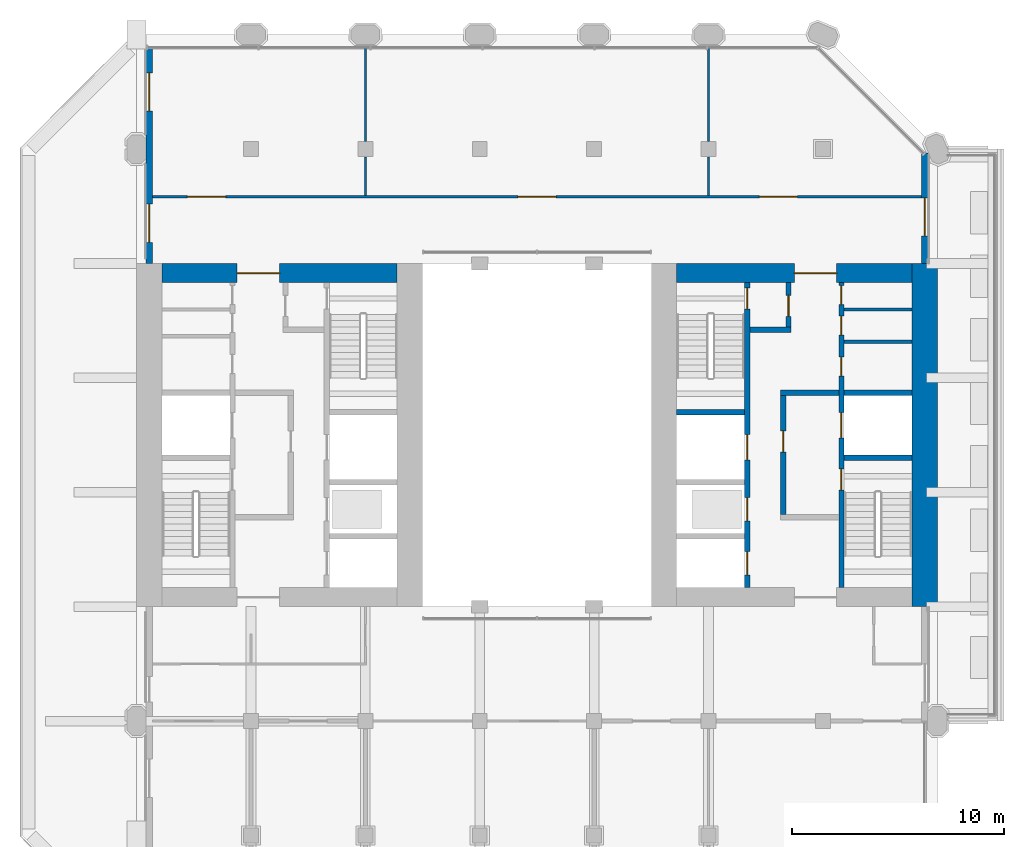
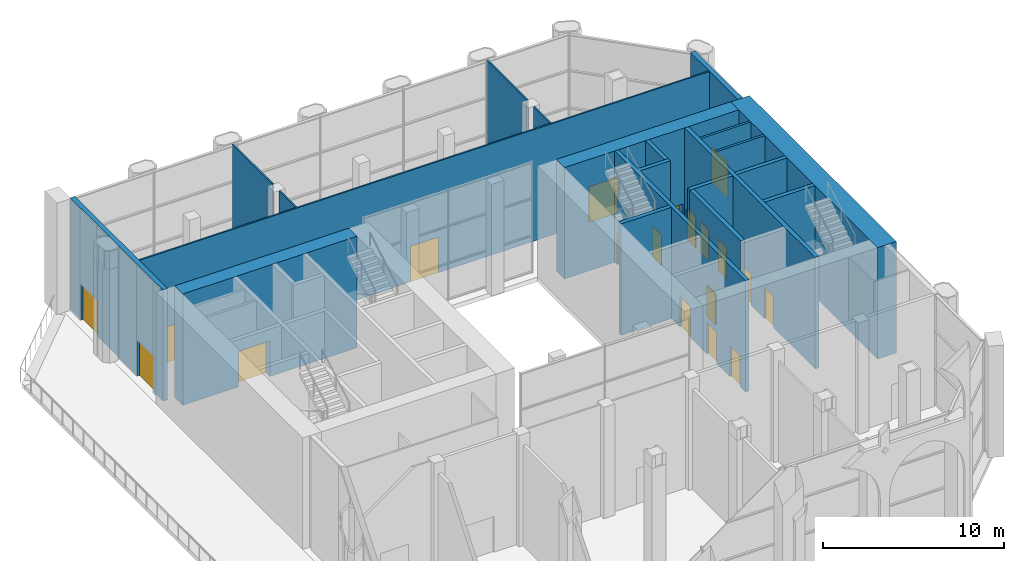
# One storey, part 11 of 20: 21 walls, 19 doors, 19 openings.
"""IFC4 building model written with IfcOpenShell, lengths in metres."""

from ifc_helpers import new_model, si_unit, direction, frame, frame_2d, origin, place, context, subcontext, project, spatial, rectangle, extrude, material, layer, layer_set, type_object, element, fill, save


model = new_model("IFC4")

# Units and contexts
model_context = context("Model", 3, precision=1e-05, world=origin(), true_north=direction((0.0, 1.0)))
body_context = subcontext(model_context, "Body", "Model", "MODEL_VIEW")
ifc_project = project(units=[si_unit("LENGTHUNIT", "METRE"), si_unit("AREAUNIT", "SQUARE_METRE"), si_unit("VOLUMEUNIT", "CUBIC_METRE"), si_unit("PLANEANGLEUNIT", "RADIAN"), si_unit("MASSUNIT", "GRAM", prefix="KILO")], contexts=[model_context])

# Site, building, storey
site_placement = place(None, origin())
site = spatial("IfcSite", under=ifc_project, at=site_placement, CompositionType="ELEMENT")
building_placement = place(site_placement, origin())
building = spatial("IfcBuilding", under=site, at=building_placement, Name="Tabaq Tower and Sports Hall", CompositionType="ELEMENT")
storey_placement = place(building_placement, frame((0.0, 0.0, 243.10009765625)))
storey = spatial("IfcBuildingStorey", under=building, at=storey_placement, Name="L60", CompositionType="ELEMENT", Elevation=243.10009765625)

# Walls
ifc_material_1 = material(Name="Blockwork", Category="masonry")
ifc_layer_1 = layer(ifc_material_1, 0.14990234375)
ifc_layer_set_1 = layer_set([ifc_layer_1], Name="Core room partition 150 Blockwork")
wall_type_1 = type_object("IfcWallType", Name="Core room partition 150 Blockwork", PredefinedType="PARTITIONING", material=ifc_layer_set_1)
for number, where, z_axis, x_axis, name in (
    (1, (38.800048828125, 28.708984375, 0.0), (0.0, 0.0, 1.0), (1.0, 0.0, 0.0), "Core room partition E L60"),
    (2, (38.800048828125, 30.23193359375, 0.0), (0.0, 0.0, 1.0), (1.0, 0.0, 0.0), "Core room partition E L60"),
):
    element("IfcWall", number, at=place(storey_placement, frame(where, z_axis=z_axis, x_axis=x_axis)), inside=storey, type_object=wall_type_1, Name=name, PredefinedType="PARTITIONING", context=body_context, shape_type="SweptSolid", body=[
        extrude(rectangle(XDim=3.199951171875, YDim=0.14990234375, at=frame_2d((1.60009765625, 0.0))), origin(), (0.0, 0.0, 1.0), 7.5),
    ])
ifc_material_2 = material(Name="Concrete C40/50", Category="concrete")
ifc_layer_2 = layer(ifc_material_2, 1.199951171875)
ifc_layer_set_2 = layer_set([ifc_layer_2], Name="Core wall 1200 Concrete C40/50")
wall_type_2 = type_object("IfcWallType", Name="Core wall 1200 Concrete C40/50", PredefinedType="SOLIDWALL", material=ifc_layer_set_2)
wall_1_placement = place(storey_placement, frame((42.60009765625, 32.39990234375, 0.0), z_axis=(0.0, 0.0, 1.0), x_axis=(0.0, -1.0, 0.0)))
element("IfcWall", 3, at=wall_1_placement, inside=storey, type_object=wall_type_2, Name="Core wall E L60", PredefinedType="SOLIDWALL", context=body_context, shape_type="SweptSolid", body=[
    extrude(rectangle(XDim=16.199951171875, YDim=1.199951171875, at=frame_2d((8.10009765625, 0.0))), origin(), (0.0, 0.0, 1.0), 7.5),
])

# Wall, opening, door
ifc_material_3 = material(Name="Concrete C40/50", Category="concrete")
ifc_layer_3 = layer(ifc_material_3, 0.89990234375)
ifc_layer_set_3 = layer_set([ifc_layer_3], Name="Core wall 900 Concrete C40/50")
wall_type_3 = type_object("IfcWallType", Name="Core wall 900 Concrete C40/50", PredefinedType="SOLIDWALL", material=ifc_layer_set_3)
wall_2_placement = place(storey_placement, frame((6.60009765625, 31.949951171875, 0.0), z_axis=(0.0, 0.0, 1.0), x_axis=(1.0, 0.0, 0.0)))
wall_2 = element("IfcWall", 4, at=wall_2_placement, inside=storey, type_object=wall_type_3, Name="Core wall W L60", PredefinedType="SOLIDWALL", context=body_context, shape_type="SweptSolid", body=[
    extrude(rectangle(XDim=11.099853515625, YDim=0.89990234375, at=frame_2d((5.5498046875, 0.0))), origin(), (0.0, 0.0, 1.0), 7.5),
])
opening_1_placement = place(wall_2_placement, frame((3.550048828125, 0.0, 0.0)))
opening_1 = element("IfcOpeningElement", 5, at=opening_1_placement, cuts=wall_2, Name="Opening PD-WL60-02", PredefinedType="OPENING", context=body_context, shape_type="SweptSolid", body=[
    extrude(rectangle(XDim=2.0, YDim=2.39990234375, at=frame_2d((1.0, 1.199951171875))), frame((0.0, 0.449951171875, 0.0), z_axis=(0.0, -1.0, 0.0), x_axis=(1.0, 0.0, 0.0)), (0.0, 0.0, 1.0), 0.89990234375),
])
ifc_material_4 = material(Name="Steel fire door", Category="steel")
door_type_1 = type_object("IfcDoorType", Name="Core entrance door 2000", OperationType="DOUBLE_DOOR_SINGLE_SWING", PredefinedType="DOOR", material=ifc_material_4)
door_1_placement = place(opening_1_placement, origin())
door_1 = element("IfcDoor", 6, at=door_1_placement, inside=storey, type_object=door_type_1, Name="Core entrance north W L60", OperationType="DOUBLE_DOOR_SINGLE_SWING", OverallHeight=2.39990234375, OverallWidth=2.0, PredefinedType="DOOR", context=body_context, shape_type="SweptSolid", body=[
    extrude(rectangle(XDim=2.0, YDim=2.39990234375, at=frame_2d((1.0, 1.199951171875))), frame((0.0, 0.02490234375, 0.0), z_axis=(0.0, -1.0, 0.0), x_axis=(1.0, 0.0, 0.0)), (0.0, 0.0, 1.0), 0.050048828125),
])
fill(opening_1, door_1)

wall_3_placement = place(storey_placement, frame((30.89990234375, 31.949951171875, 0.0), z_axis=(0.0, 0.0, 1.0), x_axis=(1.0, 0.0, 0.0)))
wall_3 = element("IfcWall", 7, at=wall_3_placement, inside=storey, type_object=wall_type_3, Name="Core wall E L60", PredefinedType="SOLIDWALL", context=body_context, shape_type="SweptSolid", body=[
    extrude(rectangle(XDim=11.10009765625, YDim=0.89990234375, at=frame_2d((5.550048828125, 0.0))), origin(), (0.0, 0.0, 1.0), 7.5),
])
opening_2_placement = place(wall_3_placement, frame((5.550048828125, 0.0, 0.0)))
opening_2 = element("IfcOpeningElement", 8, at=opening_2_placement, cuts=wall_3, Name="Opening PD-EL60-02", PredefinedType="OPENING", context=body_context, shape_type="SweptSolid", body=[
    extrude(rectangle(XDim=2.0, YDim=2.39990234375, at=frame_2d((1.0, 1.199951171875))), frame((0.0, 0.449951171875, 0.0), z_axis=(0.0, -1.0, 0.0), x_axis=(1.0, 0.0, 0.0)), (0.0, 0.0, 1.0), 0.89990234375),
])
door_2_placement = place(opening_2_placement, origin())
door_2 = element("IfcDoor", 9, at=door_2_placement, inside=storey, type_object=door_type_1, Name="Core entrance north E L60", OperationType="DOUBLE_DOOR_SINGLE_SWING", OverallHeight=2.39990234375, OverallWidth=2.0, PredefinedType="DOOR", context=body_context, shape_type="SweptSolid", body=[
    extrude(rectangle(XDim=2.0, YDim=2.39990234375, at=frame_2d((1.0, 1.199951171875))), frame((0.0, 0.02490234375, 0.0), z_axis=(0.0, -1.0, 0.0), x_axis=(1.0, 0.0, 0.0)), (0.0, 0.0, 1.0), 0.050048828125),
])
fill(opening_2, door_2)

# Walls
ifc_material_5 = material(Name="Gypsum board on steel studs", Category="steel")
ifc_layer_4 = layer(ifc_material_5, 0.10009765625)
ifc_layer_set_4 = layer_set([ifc_layer_4], Name="Partition 100 Gypsum board")
wall_type_4 = type_object("IfcWallType", Name="Partition 100 Gypsum board", PredefinedType="PARTITIONING", material=ifc_layer_set_4)
wall_4_placement = place(storey_placement, frame((32.39990234375, 42.60009765625, 0.0), z_axis=(0.0, 0.0, 1.0), x_axis=(0.0, -1.0, 0.0)))
element("IfcWall", 10, at=wall_4_placement, inside=storey, type_object=wall_type_4, Name="Partition wall L60", PredefinedType="PARTITIONING", context=body_context, shape_type="SweptSolid", body=[
    extrude(rectangle(XDim=4.43017578125, YDim=0.10009765625, at=frame_2d((2.215087890625, 0.0))), origin(), (0.0, 0.0, 1.0), 7.5),
])
wall_5_placement = place(storey_placement, frame((32.39990234375, 37.429931640625, 0.0), z_axis=(0.0, 0.0, 1.0), x_axis=(0.0, -1.0, 0.0)))
element("IfcWall", 11, at=wall_5_placement, inside=storey, type_object=wall_type_4, Name="Partition wall L60", PredefinedType="PARTITIONING", context=body_context, shape_type="SweptSolid", body=[
    extrude(rectangle(XDim=1.829833984375, YDim=0.10009765625, at=frame_2d((0.9150390625, 0.0))), origin(), (0.0, 0.0, 1.0), 7.5),
])
wall_6_placement = place(storey_placement, frame((16.199951171875, 42.60009765625, 0.0), z_axis=(0.0, 0.0, 1.0), x_axis=(0.0, -1.0, 0.0)))
element("IfcWall", 12, at=wall_6_placement, inside=storey, type_object=wall_type_4, Name="Partition wall L60", PredefinedType="PARTITIONING", context=body_context, shape_type="SweptSolid", body=[
    extrude(rectangle(XDim=4.43017578125, YDim=0.10009765625, at=frame_2d((2.215087890625, 0.0))), origin(), (0.0, 0.0, 1.0), 7.5),
])
wall_7_placement = place(storey_placement, frame((16.199951171875, 37.429931640625, 0.0), z_axis=(0.0, 0.0, 1.0), x_axis=(0.0, -1.0, 0.0)))
element("IfcWall", 13, at=wall_7_placement, inside=storey, type_object=wall_type_4, Name="Partition wall L60", PredefinedType="PARTITIONING", context=body_context, shape_type="SweptSolid", body=[
    extrude(rectangle(XDim=1.829833984375, YDim=0.10009765625, at=frame_2d((0.9150390625, 0.0))), origin(), (0.0, 0.0, 1.0), 7.5),
])

# Wall, openings, doors
wall_8_placement = place(storey_placement, frame((6.15087890625, 35.550048828125, 0.0), z_axis=(0.0, 0.0, 1.0), x_axis=(1.0, 0.0, 0.0)))
wall_8 = element("IfcWall", 14, at=wall_8_placement, inside=storey, type_object=wall_type_4, Name="Partition wall L60", PredefinedType="PARTITIONING", context=body_context, shape_type="SweptSolid", body=[
    extrude(rectangle(XDim=36.298095703125, YDim=0.10009765625, at=frame_2d((18.14892578125, 0.0))), origin(), (0.0, 0.0, 1.0), 7.5),
])
opening_3_placement = place(wall_8_placement, frame((28.64892578125, 0.0, 0.0)))
opening_3 = element("IfcOpeningElement", 15, at=opening_3_placement, cuts=wall_8, Name="Opening L60-001", PredefinedType="OPENING", context=body_context, shape_type="SweptSolid", body=[
    extrude(rectangle(XDim=1.800048828125, YDim=2.39990234375, at=frame_2d((0.89990234375, 1.199951171875))), frame((0.0, 0.050048828125, 0.0), z_axis=(0.0, -1.0, 0.0), x_axis=(1.0, 0.0, 0.0)), (0.0, 0.0, 1.0), 0.10009765625),
])
opening_4_placement = place(wall_8_placement, frame((17.2490234375, 0.0, 0.0)))
opening_4 = element("IfcOpeningElement", 16, at=opening_4_placement, cuts=wall_8, Name="Opening L60-002", PredefinedType="OPENING", context=body_context, shape_type="SweptSolid", body=[
    extrude(rectangle(XDim=1.800048828125, YDim=2.39990234375, at=frame_2d((0.89990234375, 1.199951171875))), frame((0.0, 0.050048828125, 0.0), z_axis=(0.0, -1.0, 0.0), x_axis=(1.0, 0.0, 0.0)), (0.0, 0.0, 1.0), 0.10009765625),
])
opening_5_placement = place(wall_8_placement, frame((1.64892578125, 0.0, 0.0)))
opening_5 = element("IfcOpeningElement", 17, at=opening_5_placement, cuts=wall_8, Name="Opening L60-003", PredefinedType="OPENING", context=body_context, shape_type="SweptSolid", body=[
    extrude(rectangle(XDim=1.800048828125, YDim=2.39990234375, at=frame_2d((0.89990234375, 1.199951171875))), frame((0.0, 0.050048828125, 0.0), z_axis=(0.0, -1.0, 0.0), x_axis=(1.0, 0.0, 0.0)), (0.0, 0.0, 1.0), 0.10009765625),
])
ifc_material_6 = material(Name="Timber leaf in steel frame", Category="steel")
door_type_2 = type_object("IfcDoorType", Name="Internal door 1800", OperationType="DOUBLE_DOOR_SINGLE_SWING", PredefinedType="DOOR", material=ifc_material_6)
door_3_placement = place(opening_3_placement, origin())
door_3 = element("IfcDoor", 18, at=door_3_placement, inside=storey, type_object=door_type_2, Name="Internal door L60-001", OperationType="DOUBLE_DOOR_SINGLE_SWING", OverallHeight=2.39990234375, OverallWidth=1.800048828125, PredefinedType="DOOR", context=body_context, shape_type="SweptSolid", body=[
    extrude(rectangle(XDim=1.800048828125, YDim=2.39990234375, at=frame_2d((0.89990234375, 1.199951171875))), frame((0.0, 0.02490234375, 0.0), z_axis=(0.0, -1.0, 0.0), x_axis=(1.0, 0.0, 0.0)), (0.0, 0.0, 1.0), 0.050048828125),
])
fill(opening_3, door_3)
door_4_placement = place(opening_4_placement, origin())
door_4 = element("IfcDoor", 19, at=door_4_placement, inside=storey, type_object=door_type_2, Name="Internal door L60-002", OperationType="DOUBLE_DOOR_SINGLE_SWING", OverallHeight=2.39990234375, OverallWidth=1.800048828125, PredefinedType="DOOR", context=body_context, shape_type="SweptSolid", body=[
    extrude(rectangle(XDim=1.800048828125, YDim=2.39990234375, at=frame_2d((0.89990234375, 1.199951171875))), frame((0.0, 0.02490234375, 0.0), z_axis=(0.0, -1.0, 0.0), x_axis=(1.0, 0.0, 0.0)), (0.0, 0.0, 1.0), 0.050048828125),
])
fill(opening_4, door_4)
door_5_placement = place(opening_5_placement, origin())
door_5 = element("IfcDoor", 20, at=door_5_placement, inside=storey, type_object=door_type_2, Name="Internal door L60-003", OperationType="DOUBLE_DOOR_SINGLE_SWING", OverallHeight=2.39990234375, OverallWidth=1.800048828125, PredefinedType="DOOR", context=body_context, shape_type="SweptSolid", body=[
    extrude(rectangle(XDim=1.800048828125, YDim=2.39990234375, at=frame_2d((0.89990234375, 1.199951171875))), frame((0.0, 0.02490234375, 0.0), z_axis=(0.0, -1.0, 0.0), x_axis=(1.0, 0.0, 0.0)), (0.0, 0.0, 1.0), 0.050048828125),
])
fill(opening_5, door_5)

ifc_material_7 = material(Name="Concrete C40/50", Category="concrete")
ifc_layer_5 = layer(ifc_material_7, 0.25)
ifc_layer_set_5 = layer_set([ifc_layer_5], Name="Shaft and stair wall 250 Concrete C40/50")
wall_type_5 = type_object("IfcWallType", Name="Shaft and stair wall 250 Concrete C40/50", PredefinedType="SOLIDWALL", material=ifc_layer_set_5)
wall_9_placement = place(storey_placement, frame((38.675048828125, 17.10009765625, 0.0), z_axis=(0.0, 0.0, 1.0), x_axis=(0.0, 1.0, 0.0)))
wall_9 = element("IfcWall", 21, at=wall_9_placement, inside=storey, type_object=wall_type_5, Name="Shaft wall E L60", PredefinedType="SOLIDWALL", context=body_context, shape_type="SweptSolid", body=[
    extrude(rectangle(XDim=14.39990234375, YDim=0.25, at=frame_2d((7.199951171875, 0.0))), origin(), (0.0, 0.0, 1.0), 7.5),
])
opening_6_placement = place(wall_9_placement, frame((4.60009765625, 0.0, 0.0)))
opening_6 = element("IfcOpeningElement", 22, at=opening_6_placement, cuts=wall_9, Name="Opening SD-EL60-03", PredefinedType="OPENING", context=body_context, shape_type="SweptSolid", body=[
    extrude(rectangle(XDim=1.0, YDim=2.10009765625, at=frame_2d((0.5, 1.050048828125))), frame((0.0, 0.125, 0.0), z_axis=(0.0, -1.0, 0.0), x_axis=(1.0, 0.0, 0.0)), (0.0, 0.0, 1.0), 0.25),
])
opening_7_placement = place(wall_9_placement, frame((7.0625, 0.0, 0.0)))
opening_7 = element("IfcOpeningElement", 23, at=opening_7_placement, cuts=wall_9, Name="Opening LD-FF2-L60", PredefinedType="OPENING", context=body_context, shape_type="SweptSolid", body=[
    extrude(rectangle(XDim=1.199951171875, YDim=2.10009765625, at=frame_2d((0.60009765625, 1.050048828125))), frame((0.0, 0.125, 0.0), z_axis=(0.0, -1.0, 0.0), x_axis=(1.0, 0.0, 0.0)), (0.0, 0.0, 1.0), 0.25),
])
opening_8_placement = place(wall_9_placement, frame((9.9794921875, 0.0, 0.0)))
opening_8 = element("IfcOpeningElement", 24, at=opening_8_placement, cuts=wall_9, Name="Opening RD-EL60-11", PredefinedType="OPENING", context=body_context, shape_type="SweptSolid", body=[
    extrude(rectangle(XDim=0.89990234375, YDim=2.10009765625, at=frame_2d((0.449951171875, 1.050048828125))), frame((0.0, 0.125, 0.0), z_axis=(0.0, -1.0, 0.0), x_axis=(1.0, 0.0, 0.0)), (0.0, 0.0, 1.0), 0.25),
])
opening_9_placement = place(wall_9_placement, frame((11.92041015625, 0.0, 0.0)))
opening_9 = element("IfcOpeningElement", 25, at=opening_9_placement, cuts=wall_9, Name="Opening RD-EL60-12", PredefinedType="OPENING", context=body_context, shape_type="SweptSolid", body=[
    extrude(rectangle(XDim=0.89990234375, YDim=2.10009765625, at=frame_2d((0.449951171875, 1.050048828125))), frame((0.0, 0.125, 0.0), z_axis=(0.0, -1.0, 0.0), x_axis=(1.0, 0.0, 0.0)), (0.0, 0.0, 1.0), 0.25),
])
opening_10_placement = place(wall_9_placement, frame((13.353515625, 0.0, 0.0)))
opening_10 = element("IfcOpeningElement", 26, at=opening_10_placement, cuts=wall_9, Name="Opening RD-EL60-13", PredefinedType="OPENING", context=body_context, shape_type="SweptSolid", body=[
    extrude(rectangle(XDim=0.89990234375, YDim=2.10009765625, at=frame_2d((0.449951171875, 1.050048828125))), frame((0.0, 0.125, 0.0), z_axis=(0.0, -1.0, 0.0), x_axis=(1.0, 0.0, 0.0)), (0.0, 0.0, 1.0), 0.25),
])
ifc_material_8 = material(Name="Steel fire door", Category="steel")
door_type_3 = type_object("IfcDoorType", Name="Core room door 900", OperationType="SINGLE_SWING_LEFT", PredefinedType="DOOR", material=ifc_material_8)
door_6_placement = place(opening_8_placement, origin())
door_6 = element("IfcDoor", 27, at=door_6_placement, inside=storey, type_object=door_type_3, Name="Door Unisex WC E L60", OperationType="SINGLE_SWING_LEFT", OverallHeight=2.10009765625, OverallWidth=0.89990234375, PredefinedType="DOOR", context=body_context, shape_type="SweptSolid", body=[
    extrude(rectangle(XDim=0.89990234375, YDim=2.10009765625, at=frame_2d((0.449951171875, 1.050048828125))), frame((0.0, 0.02490234375, 0.0), z_axis=(0.0, -1.0, 0.0), x_axis=(1.0, 0.0, 0.0)), (0.0, 0.0, 1.0), 0.050048828125),
])
fill(opening_8, door_6)
door_7_placement = place(opening_9_placement, origin())
door_7 = element("IfcDoor", 28, at=door_7_placement, inside=storey, type_object=door_type_3, Name="Door Accessible WC E L60", OperationType="SINGLE_SWING_LEFT", OverallHeight=2.10009765625, OverallWidth=0.89990234375, PredefinedType="DOOR", context=body_context, shape_type="SweptSolid", body=[
    extrude(rectangle(XDim=0.89990234375, YDim=2.10009765625, at=frame_2d((0.449951171875, 1.050048828125))), frame((0.0, 0.02490234375, 0.0), z_axis=(0.0, -1.0, 0.0), x_axis=(1.0, 0.0, 0.0)), (0.0, 0.0, 1.0), 0.050048828125),
])
fill(opening_9, door_7)
door_8_placement = place(opening_10_placement, origin())
door_8 = element("IfcDoor", 29, at=door_8_placement, inside=storey, type_object=door_type_3, Name="Door Electrical Riser Room E L60", OperationType="SINGLE_SWING_LEFT", OverallHeight=2.10009765625, OverallWidth=0.89990234375, PredefinedType="DOOR", context=body_context, shape_type="SweptSolid", body=[
    extrude(rectangle(XDim=0.89990234375, YDim=2.10009765625, at=frame_2d((0.449951171875, 1.050048828125))), frame((0.0, 0.02490234375, 0.0), z_axis=(0.0, -1.0, 0.0), x_axis=(1.0, 0.0, 0.0)), (0.0, 0.0, 1.0), 0.050048828125),
])
fill(opening_10, door_8)
ifc_material_9 = material(Name="Stainless steel", Category="steel")
door_type_4 = type_object("IfcDoorType", Name="Lift landing door 1200", OperationType="DOUBLE_DOOR_SLIDING", PredefinedType="DOOR", material=ifc_material_9)
door_9_placement = place(opening_7_placement, origin())
door_9 = element("IfcDoor", 30, at=door_9_placement, inside=storey, type_object=door_type_4, Name="Lift landing door FF2 E L60", OperationType="DOUBLE_DOOR_SLIDING", OverallHeight=2.10009765625, OverallWidth=1.199951171875, PredefinedType="DOOR", context=body_context, shape_type="SweptSolid", body=[
    extrude(rectangle(XDim=1.199951171875, YDim=2.10009765625, at=frame_2d((0.60009765625, 1.050048828125))), frame((0.0, 0.02490234375, 0.0), z_axis=(0.0, -1.0, 0.0), x_axis=(1.0, 0.0, 0.0)), (0.0, 0.0, 1.0), 0.050048828125),
])
fill(opening_7, door_9)
ifc_material_10 = material(Name="Steel fire door", Category="steel")
door_type_5 = type_object("IfcDoorType", Name="Stair door 1000", OperationType="SINGLE_SWING_LEFT", PredefinedType="DOOR", material=ifc_material_10)
door_10_placement = place(opening_6_placement, origin())
door_10 = element("IfcDoor", 31, at=door_10_placement, inside=storey, type_object=door_type_5, Name="Stair door ST3 E L60", OperationType="SINGLE_SWING_LEFT", OverallHeight=2.10009765625, OverallWidth=1.0, PredefinedType="DOOR", context=body_context, shape_type="SweptSolid", body=[
    extrude(rectangle(XDim=1.0, YDim=2.10009765625, at=frame_2d((0.5, 1.050048828125))), frame((0.0, 0.02490234375, 0.0), z_axis=(0.0, -1.0, 0.0), x_axis=(1.0, 0.0, 0.0)), (0.0, 0.0, 1.0), 0.050048828125),
])
fill(opening_6, door_10)

wall_10_placement = place(storey_placement, frame((34.22509765625, 17.10009765625, 0.0), z_axis=(0.0, 0.0, 1.0), x_axis=(0.0, 1.0, 0.0)))
wall_10 = element("IfcWall", 32, at=wall_10_placement, inside=storey, type_object=wall_type_5, Name="Shaft wall E L60", PredefinedType="SOLIDWALL", context=body_context, shape_type="SweptSolid", body=[
    extrude(rectangle(XDim=14.39990234375, YDim=0.25, at=frame_2d((7.199951171875, 0.0))), origin(), (0.0, 0.0, 1.0), 7.5),
])
opening_11_placement = place(wall_10_placement, frame((13.14990234375, 0.0, 0.0)))
opening_11 = element("IfcOpeningElement", 33, at=opening_11_placement, cuts=wall_10, Name="Opening SD-EL60-05", PredefinedType="OPENING", context=body_context, shape_type="SweptSolid", body=[
    extrude(rectangle(XDim=1.0, YDim=2.10009765625, at=frame_2d((0.5, 1.050048828125))), frame((0.0, 0.125, 0.0), z_axis=(0.0, -1.0, 0.0), x_axis=(1.0, 0.0, 0.0)), (0.0, 0.0, 1.0), 0.25),
])
opening_12_placement = place(wall_10_placement, frame((0.60009765625, 0.0, 0.0)))
opening_12 = element("IfcOpeningElement", 34, at=opening_12_placement, cuts=wall_10, Name="Opening LD-MR2-L60", PredefinedType="OPENING", context=body_context, shape_type="SweptSolid", body=[
    extrude(rectangle(XDim=1.10009765625, YDim=2.10009765625, at=frame_2d((0.550048828125, 1.050048828125))), frame((0.0, 0.125, 0.0), z_axis=(0.0, -1.0, 0.0), x_axis=(1.0, 0.0, 0.0)), (0.0, 0.0, 1.0), 0.25),
])
opening_13_placement = place(wall_10_placement, frame((3.14990234375, 0.0, 0.0)))
opening_13 = element("IfcOpeningElement", 35, at=opening_13_placement, cuts=wall_10, Name="Opening LD-HR2-L60", PredefinedType="OPENING", context=body_context, shape_type="SweptSolid", body=[
    extrude(rectangle(XDim=1.10009765625, YDim=2.10009765625, at=frame_2d((0.550048828125, 1.050048828125))), frame((0.0, 0.125, 0.0), z_axis=(0.0, -1.0, 0.0), x_axis=(1.0, 0.0, 0.0)), (0.0, 0.0, 1.0), 0.25),
])
opening_14_placement = place(wall_10_placement, frame((6.02490234375, 0.0, 0.0)))
opening_14 = element("IfcOpeningElement", 36, at=opening_14_placement, cuts=wall_10, Name="Opening LD-SH2-L60", PredefinedType="OPENING", context=body_context, shape_type="SweptSolid", body=[
    extrude(rectangle(XDim=1.199951171875, YDim=2.10009765625, at=frame_2d((0.60009765625, 1.050048828125))), frame((0.0, 0.125, 0.0), z_axis=(0.0, -1.0, 0.0), x_axis=(1.0, 0.0, 0.0)), (0.0, 0.0, 1.0), 0.25),
])
ifc_material_11 = material(Name="Stainless steel", Category="steel")
door_type_6 = type_object("IfcDoorType", Name="Lift landing door 1100", OperationType="DOUBLE_DOOR_SLIDING", PredefinedType="DOOR", material=ifc_material_11)
door_11_placement = place(opening_12_placement, origin())
door_11 = element("IfcDoor", 37, at=door_11_placement, inside=storey, type_object=door_type_6, Name="Lift landing door MR2 E L60", OperationType="DOUBLE_DOOR_SLIDING", OverallHeight=2.10009765625, OverallWidth=1.10009765625, PredefinedType="DOOR", context=body_context, shape_type="SweptSolid", body=[
    extrude(rectangle(XDim=1.10009765625, YDim=2.10009765625, at=frame_2d((0.550048828125, 1.050048828125))), frame((0.0, 0.02490234375, 0.0), z_axis=(0.0, -1.0, 0.0), x_axis=(1.0, 0.0, 0.0)), (0.0, 0.0, 1.0), 0.050048828125),
])
fill(opening_12, door_11)
door_12_placement = place(opening_13_placement, origin())
door_12 = element("IfcDoor", 38, at=door_12_placement, inside=storey, type_object=door_type_6, Name="Lift landing door HR2 E L60", OperationType="DOUBLE_DOOR_SLIDING", OverallHeight=2.10009765625, OverallWidth=1.10009765625, PredefinedType="DOOR", context=body_context, shape_type="SweptSolid", body=[
    extrude(rectangle(XDim=1.10009765625, YDim=2.10009765625, at=frame_2d((0.550048828125, 1.050048828125))), frame((0.0, 0.02490234375, 0.0), z_axis=(0.0, -1.0, 0.0), x_axis=(1.0, 0.0, 0.0)), (0.0, 0.0, 1.0), 0.050048828125),
])
fill(opening_13, door_12)
door_13_placement = place(opening_14_placement, origin())
door_13 = element("IfcDoor", 39, at=door_13_placement, inside=storey, type_object=door_type_4, Name="Lift landing door SH2 E L60", OperationType="DOUBLE_DOOR_SLIDING", OverallHeight=2.10009765625, OverallWidth=1.199951171875, PredefinedType="DOOR", context=body_context, shape_type="SweptSolid", body=[
    extrude(rectangle(XDim=1.199951171875, YDim=2.10009765625, at=frame_2d((0.60009765625, 1.050048828125))), frame((0.0, 0.02490234375, 0.0), z_axis=(0.0, -1.0, 0.0), x_axis=(1.0, 0.0, 0.0)), (0.0, 0.0, 1.0), 0.050048828125),
])
fill(opening_14, door_13)
door_14_placement = place(opening_11_placement, origin())
door_14 = element("IfcDoor", 40, at=door_14_placement, inside=storey, type_object=door_type_5, Name="Stair door ST4 E L60", OperationType="SINGLE_SWING_LEFT", OverallHeight=2.10009765625, OverallWidth=1.0, PredefinedType="DOOR", context=body_context, shape_type="SweptSolid", body=[
    extrude(rectangle(XDim=1.0, YDim=2.10009765625, at=frame_2d((0.5, 1.050048828125))), frame((0.0, 0.02490234375, 0.0), z_axis=(0.0, -1.0, 0.0), x_axis=(1.0, 0.0, 0.0)), (0.0, 0.0, 1.0), 0.050048828125),
])
fill(opening_11, door_14)

# Walls
wall_11_placement = place(storey_placement, frame((38.800048828125, 23.22509765625, 0.0), z_axis=(0.0, 0.0, 1.0), x_axis=(1.0, 0.0, 0.0)))
element("IfcWall", 41, at=wall_11_placement, inside=storey, type_object=wall_type_5, Name="Stair enclosure wall E L60", PredefinedType="SOLIDWALL", context=body_context, shape_type="SweptSolid", body=[
    extrude(rectangle(XDim=3.199951171875, YDim=0.25, at=frame_2d((1.60009765625, 0.0))), origin(), (0.0, 0.0, 1.0), 7.5),
])
wall_12_placement = place(storey_placement, frame((30.89990234375, 25.375, 0.0), z_axis=(0.0, 0.0, 1.0), x_axis=(1.0, 0.0, 0.0)))
element("IfcWall", 42, at=wall_12_placement, inside=storey, type_object=wall_type_5, Name="Stair enclosure wall E L60", PredefinedType="SOLIDWALL", context=body_context, shape_type="SweptSolid", body=[
    extrude(rectangle(XDim=3.2001953125, YDim=0.25, at=frame_2d((1.60009765625, 0.0))), origin(), (0.0, 0.0, 1.0), 7.5),
])
wall_13_placement = place(storey_placement, frame((38.800048828125, 26.300048828125, 0.0), z_axis=(0.0, 0.0, 1.0), x_axis=(1.0, 0.0, 0.0)))
element("IfcWall", 43, at=wall_13_placement, inside=storey, type_object=wall_type_5, Name="Shaft wall E L60", PredefinedType="SOLIDWALL", context=body_context, shape_type="SweptSolid", body=[
    extrude(rectangle(XDim=3.199951171875, YDim=0.25, at=frame_2d((1.60009765625, 0.0))), origin(), (0.0, 0.0, 1.0), 7.5),
])
wall_14_placement = place(storey_placement, frame((35.800048828125, 26.300048828125, 0.0), z_axis=(0.0, 0.0, 1.0), x_axis=(1.0, 0.0, 0.0)))
element("IfcWall", 44, at=wall_14_placement, inside=storey, type_object=wall_type_5, Name="Fire-fighting lobby wall E L60", PredefinedType="SOLIDWALL", context=body_context, shape_type="SweptSolid", body=[
    extrude(rectangle(XDim=2.75, YDim=0.25, at=frame_2d((1.375, 0.0))), origin(), (0.0, 0.0, 1.0), 7.5),
])

# Wall, opening, door
wall_15_placement = place(storey_placement, frame((36.175048828125, 29.39990234375, 0.0), z_axis=(0.0, 0.0, 1.0), x_axis=(0.0, 1.0, 0.0)))
wall_15 = element("IfcWall", 45, at=wall_15_placement, inside=storey, type_object=wall_type_5, Name="Fire-fighting lobby wall E L60", PredefinedType="SOLIDWALL", context=body_context, shape_type="SweptSolid", body=[
    extrude(rectangle(XDim=2.10009765625, YDim=0.25, at=frame_2d((1.050048828125, 0.0))), origin(), (0.0, 0.0, 1.0), 7.5),
])
opening_15_placement = place(wall_15_placement, frame((0.5, 0.0, 0.0)))
opening_15 = element("IfcOpeningElement", 46, at=opening_15_placement, cuts=wall_15, Name="Opening FD-EL60-06", PredefinedType="OPENING", context=body_context, shape_type="SweptSolid", body=[
    extrude(rectangle(XDim=1.0, YDim=2.10009765625, at=frame_2d((0.5, 1.050048828125))), frame((0.0, 0.125, 0.0), z_axis=(0.0, -1.0, 0.0), x_axis=(1.0, 0.0, 0.0)), (0.0, 0.0, 1.0), 0.25),
])
ifc_material_12 = material(Name="Steel fire door", Category="steel")
door_type_7 = type_object("IfcDoorType", Name="Fire-fighting lobby door 1000", OperationType="SINGLE_SWING_LEFT", PredefinedType="DOOR", material=ifc_material_12)
door_15_placement = place(opening_15_placement, origin())
door_15 = element("IfcDoor", 47, at=door_15_placement, inside=storey, type_object=door_type_7, Name="Stair lobby door E L60", OperationType="SINGLE_SWING_LEFT", OverallHeight=2.10009765625, OverallWidth=1.0, PredefinedType="DOOR", context=body_context, shape_type="SweptSolid", body=[
    extrude(rectangle(XDim=1.0, YDim=2.10009765625, at=frame_2d((0.5, 1.050048828125))), frame((0.0, 0.02490234375, 0.0), z_axis=(0.0, -1.0, 0.0), x_axis=(1.0, 0.0, 0.0)), (0.0, 0.0, 1.0), 0.050048828125),
])
fill(opening_15, door_15)

# Wall
wall_16_placement = place(storey_placement, frame((34.35009765625, 29.27490234375, 0.0), z_axis=(0.0, 0.0, 1.0), x_axis=(1.0, 0.0, 0.0)))
element("IfcWall", 48, at=wall_16_placement, inside=storey, type_object=wall_type_5, Name="Fire-fighting lobby wall E L60", PredefinedType="SOLIDWALL", context=body_context, shape_type="SweptSolid", body=[
    extrude(rectangle(XDim=1.949951171875, YDim=0.25, at=frame_2d((0.97509765625, 0.0))), origin(), (0.0, 0.0, 1.0), 7.5),
])

# Wall, opening, door
wall_17_placement = place(storey_placement, frame((35.925048828125, 20.550048828125, 0.0), z_axis=(0.0, 0.0, 1.0), x_axis=(0.0, 1.0, 0.0)))
wall_17 = element("IfcWall", 49, at=wall_17_placement, inside=storey, type_object=wall_type_5, Name="Fire-fighting lobby wall E L60", PredefinedType="SOLIDWALL", context=body_context, shape_type="SweptSolid", body=[
    extrude(rectangle(XDim=5.625, YDim=0.25, at=frame_2d((2.8125, 0.0))), origin(), (0.0, 0.0, 1.0), 7.5),
])
opening_16_placement = place(wall_17_placement, frame((2.949951171875, 0.0, 0.0)))
opening_16 = element("IfcOpeningElement", 50, at=opening_16_placement, cuts=wall_17, Name="Opening FD-EL60-04", PredefinedType="OPENING", context=body_context, shape_type="SweptSolid", body=[
    extrude(rectangle(XDim=1.0, YDim=2.10009765625, at=frame_2d((0.5, 1.050048828125))), frame((0.0, 0.125, 0.0), z_axis=(0.0, -1.0, 0.0), x_axis=(1.0, 0.0, 0.0)), (0.0, 0.0, 1.0), 0.25),
])
door_16_placement = place(opening_16_placement, origin())
door_16 = element("IfcDoor", 51, at=door_16_placement, inside=storey, type_object=door_type_7, Name="Fire-fighting lobby door E L60", OperationType="SINGLE_SWING_LEFT", OverallHeight=2.10009765625, OverallWidth=1.0, PredefinedType="DOOR", context=body_context, shape_type="SweptSolid", body=[
    extrude(rectangle(XDim=1.0, YDim=2.10009765625, at=frame_2d((0.5, 1.050048828125))), frame((0.0, 0.02490234375, 0.0), z_axis=(0.0, -1.0, 0.0), x_axis=(1.0, 0.0, 0.0)), (0.0, 0.0, 1.0), 0.050048828125),
])
fill(opening_16, door_16)

ifc_material_13 = material(Name="White precast concrete C60/75", Category="concrete")
ifc_layer_6 = layer(ifc_material_13, 0.300048828125)
ifc_layer_set_6 = layer_set([ifc_layer_6], Name="White precast concrete C60/75 external wall 300")
wall_type_6 = type_object("IfcWallType", Name="White precast concrete C60/75 external wall 300", PredefinedType="SOLIDWALL", material=ifc_layer_set_6)
wall_18_placement = place(storey_placement, frame((42.60009765625, 32.39990234375, 0.0), z_axis=(0.0, 0.0, 1.0), x_axis=(0.0, 1.0, 0.0)))
wall_18 = element("IfcWall", 52, at=wall_18_placement, inside=storey, type_object=wall_type_6, Name="External Wall L60 E", PredefinedType="SOLIDWALL", context=body_context, shape_type="SweptSolid", body=[
    extrude(rectangle(XDim=5.213623046875, YDim=0.300048828125, at=frame_2d((2.60693359375, 0.0))), origin(), (0.0, 0.0, 1.0), 7.5),
])
opening_17_placement = place(wall_18_placement, frame((1.300048828125, 0.0, 0.0)))
opening_17 = element("IfcOpeningElement", 53, at=opening_17_placement, cuts=wall_18, Name="Opening TD6002", PredefinedType="OPENING", context=body_context, shape_type="SweptSolid", body=[
    extrude(rectangle(XDim=1.800048828125, YDim=2.39990234375, at=frame_2d((0.89990234375, 1.199951171875))), frame((0.0, 0.16015625, 0.0), z_axis=(0.0, -1.0, 0.0), x_axis=(1.0, 0.0, 0.0)), (0.0, 0.0, 1.0), 0.320068359375),
])
ifc_material_14 = material(Name="Aluminium framed clear glazing", Category="aluminium")
door_type_8 = type_object("IfcDoorType", Name="Terrace door TD1", OperationType="DOUBLE_DOOR_DOUBLE_SWING", PredefinedType="DOOR", material=ifc_material_14)
door_17_placement = place(opening_17_placement, origin())
door_17 = element("IfcDoor", 54, at=door_17_placement, inside=storey, type_object=door_type_8, Name="Terrace door TD6002", OperationType="DOUBLE_DOOR_DOUBLE_SWING", OverallHeight=2.39990234375, OverallWidth=1.800048828125, PredefinedType="DOOR", context=body_context, shape_type="SweptSolid", body=[
    extrude(rectangle(XDim=1.800048828125, YDim=2.39990234375, at=frame_2d((0.89990234375, 1.199951171875))), frame((0.0, 0.02490234375, 0.0), z_axis=(0.0, -1.0, 0.0), x_axis=(1.0, 0.0, 0.0)), (0.0, 0.0, 1.0), 0.050048828125),
])
fill(opening_17, door_17)

# Wall, openings, doors
wall_19_placement = place(storey_placement, frame((6.0, 42.60009765625, 0.0), z_axis=(0.0, 0.0, 1.0), x_axis=(0.0, -1.0, 0.0)))
wall_19 = element("IfcWall", 55, at=wall_19_placement, inside=storey, type_object=wall_type_6, Name="External Wall L60 W", PredefinedType="SOLIDWALL", context=body_context, shape_type="SweptSolid", body=[
    extrude(rectangle(XDim=10.2001953125, YDim=0.300048828125, at=frame_2d((5.10009765625, 0.0))), origin(), (0.0, 0.0, 1.0), 7.5),
])
opening_18_placement = place(wall_19_placement, frame((1.199951171875, 0.0, 0.0)))
opening_18 = element("IfcOpeningElement", 56, at=opening_18_placement, cuts=wall_19, Name="Opening TD6003", PredefinedType="OPENING", context=body_context, shape_type="SweptSolid", body=[
    extrude(rectangle(XDim=1.800048828125, YDim=2.39990234375, at=frame_2d((0.89990234375, 1.199951171875))), frame((0.0, 0.16015625, 0.0), z_axis=(0.0, -1.0, 0.0), x_axis=(1.0, 0.0, 0.0)), (0.0, 0.0, 1.0), 0.320068359375),
])
opening_19_placement = place(wall_19_placement, frame((7.39990234375, 0.0, 0.0)))
opening_19 = element("IfcOpeningElement", 57, at=opening_19_placement, cuts=wall_19, Name="Opening TD6004", PredefinedType="OPENING", context=body_context, shape_type="SweptSolid", body=[
    extrude(rectangle(XDim=1.800048828125, YDim=2.39990234375, at=frame_2d((0.89990234375, 1.199951171875))), frame((0.0, 0.16015625, 0.0), z_axis=(0.0, -1.0, 0.0), x_axis=(1.0, 0.0, 0.0)), (0.0, 0.0, 1.0), 0.320068359375),
])
door_18_placement = place(opening_18_placement, origin())
door_18 = element("IfcDoor", 58, at=door_18_placement, inside=storey, type_object=door_type_8, Name="Terrace door TD6003", OperationType="DOUBLE_DOOR_DOUBLE_SWING", OverallHeight=2.39990234375, OverallWidth=1.800048828125, PredefinedType="DOOR", context=body_context, shape_type="SweptSolid", body=[
    extrude(rectangle(XDim=1.800048828125, YDim=2.39990234375, at=frame_2d((0.89990234375, 1.199951171875))), frame((0.0, 0.02490234375, 0.0), z_axis=(0.0, -1.0, 0.0), x_axis=(1.0, 0.0, 0.0)), (0.0, 0.0, 1.0), 0.050048828125),
])
fill(opening_18, door_18)
door_19_placement = place(opening_19_placement, origin())
door_19 = element("IfcDoor", 59, at=door_19_placement, inside=storey, type_object=door_type_8, Name="Terrace door TD6004", OperationType="DOUBLE_DOOR_DOUBLE_SWING", OverallHeight=2.39990234375, OverallWidth=1.800048828125, PredefinedType="DOOR", context=body_context, shape_type="SweptSolid", body=[
    extrude(rectangle(XDim=1.800048828125, YDim=2.39990234375, at=frame_2d((0.89990234375, 1.199951171875))), frame((0.0, 0.02490234375, 0.0), z_axis=(0.0, -1.0, 0.0), x_axis=(1.0, 0.0, 0.0)), (0.0, 0.0, 1.0), 0.050048828125),
])
fill(opening_19, door_19)

save(model, "model.ifc")
